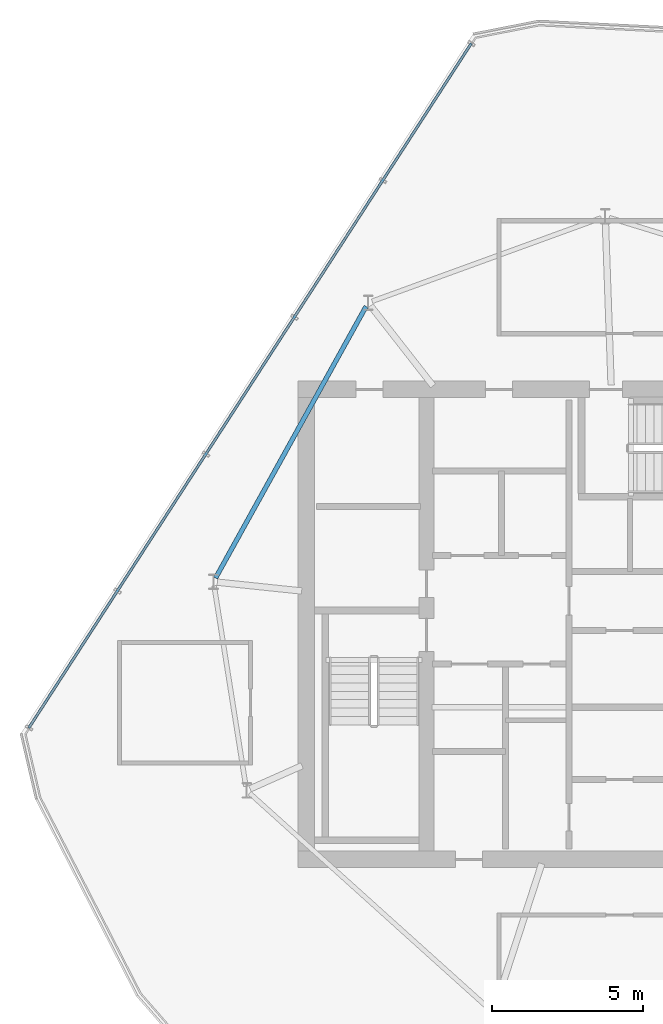
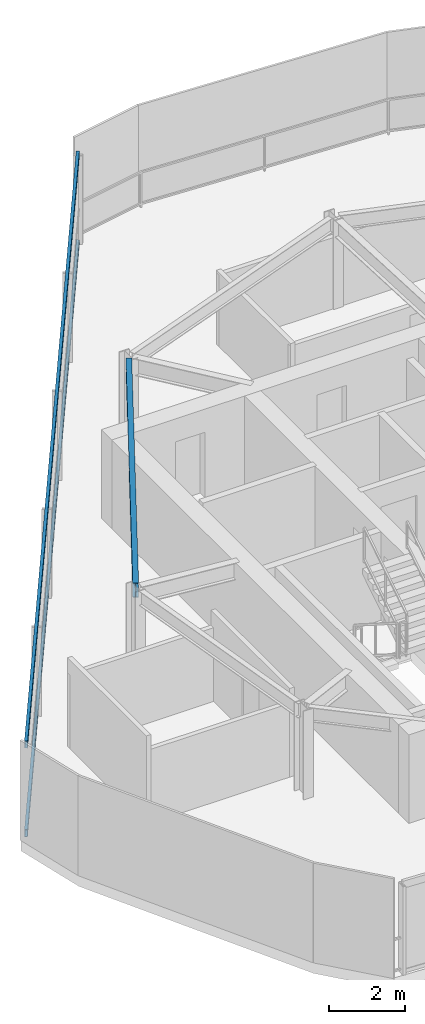
# One storey, part 7 of 16: 2 members, 1 beam, 1 element without a shape of its own.
"""IFC4 building model written with IfcOpenShell, lengths in metres."""

from ifc_helpers import new_model, si_unit, direction, frame, origin, origin_2d, place, context, subcontext, project, spatial, hollow_rectangle, i_section, extrude, material, layer, layer_set, material_profile, profile_set, type_object, element, aggregate, save


model = new_model("IFC4")

# Units and contexts
model_context = context("Model", 3, precision=1e-05, world=origin(), true_north=direction((0.0, 1.0)))
body_context = subcontext(model_context, "Body", "Model", "MODEL_VIEW")
ifc_project = project(units=[si_unit("LENGTHUNIT", "METRE"), si_unit("AREAUNIT", "SQUARE_METRE"), si_unit("VOLUMEUNIT", "CUBIC_METRE"), si_unit("PLANEANGLEUNIT", "RADIAN"), si_unit("MASSUNIT", "GRAM", prefix="KILO")], contexts=[model_context])

# Site, building, storey
site_placement = place(None, origin())
site = spatial("IfcSite", under=ifc_project, at=site_placement, CompositionType="ELEMENT")
building_placement = place(site_placement, origin())
building = spatial("IfcBuilding", under=site, at=building_placement, Name="Qarnah Convention Tower", CompositionType="ELEMENT")
storey_placement = place(building_placement, frame((0.0, 0.0, 283.5)))
storey = spatial("IfcBuildingStorey", under=building, at=storey_placement, Name="L76", CompositionType="ELEMENT", Elevation=283.5)

# Beam
ifc_material_1 = material(Name="Structural steel S355JR", Category="steel")
ifc_material_profile_1 = material_profile(ifc_material_1, i_section(OverallWidth=0.154052734375, OverallDepth=0.4599609375, WebThickness=0.009033203125, FlangeThickness=0.014892578125, at=origin_2d()), Name="W460X68")
ifc_profile_set_1 = profile_set([ifc_material_profile_1], Name="Structural steel S355JR")
beam_type = type_object("IfcBeamType", Name="BM-SPN-W460B", PredefinedType="SPANDREL", material=ifc_profile_set_1)
beam_placement = place(storey_placement, frame((28.7900390625, 36.9560546875, 2.610107421875), z_axis=(-0.484754052056, -0.874650506783, 0.0), x_axis=(0.874650506783, -0.484754052056, 0.0)))
element("IfcBeam", 1, at=beam_placement, inside=storey, type_object=beam_type, Name="L76 spandrel BM-L76-SPN-04", PredefinedType="SPANDREL", context=body_context, shape_type="SweptSolid", body=[
    extrude(i_section(OverallWidth=0.154052734375, OverallDepth=0.4599609375, WebThickness=0.009033203125, FlangeThickness=0.014892578125, at=origin_2d()), origin(), (0.0, 0.0, 1.0), 10.310546875),
])

# Curtain wall, members
ifc_material_2 = material(Name="Tempered Low-E dark glass", Category="glass")
ifc_layer = layer(ifc_material_2, 0.177978515625)
ifc_layer_set = layer_set([ifc_layer], Name="Tempered Low-E dark glass")
curtain_wall_type = type_object("IfcCurtainWallType", Name="CWS-06", PredefinedType="NOTDEFINED", material=ifc_layer_set)
curtain_wall_placement = place(storey_placement, origin())
curtain_wall = element("IfcCurtainWall", 2, at=curtain_wall_placement, inside=storey, type_object=curtain_wall_type, Name="L76 unitised curtain wall CW-L76-F3", PredefinedType="NOTDEFINED")
ifc_material_3 = material(Name="Black anodised aluminium", Category="aluminium")
ifc_material_profile_2 = material_profile(ifc_material_3, hollow_rectangle(XDim=0.0849609375, YDim=0.22998046875, WallThickness=0.006103515625, at=origin_2d()), Name="TRN-85X230")
ifc_profile_set_2 = profile_set([ifc_material_profile_2], Name="Black anodised aluminium")
member_type = type_object("IfcMemberType", Name="TRN-T6", PredefinedType="USERDEFINED", material=ifc_profile_set_2)
member_1_placement = place(storey_placement, frame((17.596923828125, 22.968017578125, 0.0), z_axis=(0.542872112727, 0.839815378058, 0.0), x_axis=(-0.839815378058, 0.542872112727, 0.0)))
member_1 = element("IfcMember", 3, at=member_1_placement, type_object=member_type, Name="CW-L76-F3 transom 1", ObjectType="TRANSOM", PredefinedType="USERDEFINED", context=body_context, shape_type="SweptSolid", body=[
    extrude(hollow_rectangle(XDim=0.0849609375, YDim=0.22998046875, WallThickness=0.006103515625, at=origin_2d()), origin(), (0.0, 0.0, 1.0), 27.048828125),
])
member_2_placement = place(storey_placement, frame((17.596923828125, 22.968017578125, 2.840087890625), z_axis=(0.542872112727, 0.839815378058, 0.0), x_axis=(-0.839815378058, 0.542872112727, 0.0)))
member_2 = element("IfcMember", 4, at=member_2_placement, type_object=member_type, Name="CW-L76-F3 transom 2", ObjectType="TRANSOM", PredefinedType="USERDEFINED", context=body_context, shape_type="SweptSolid", body=[
    extrude(hollow_rectangle(XDim=0.0849609375, YDim=0.22998046875, WallThickness=0.006103515625, at=origin_2d()), origin(), (0.0, 0.0, 1.0), 27.048828125),
])
aggregate(curtain_wall, [member_1, member_2])

save(model, "model.ifc")
